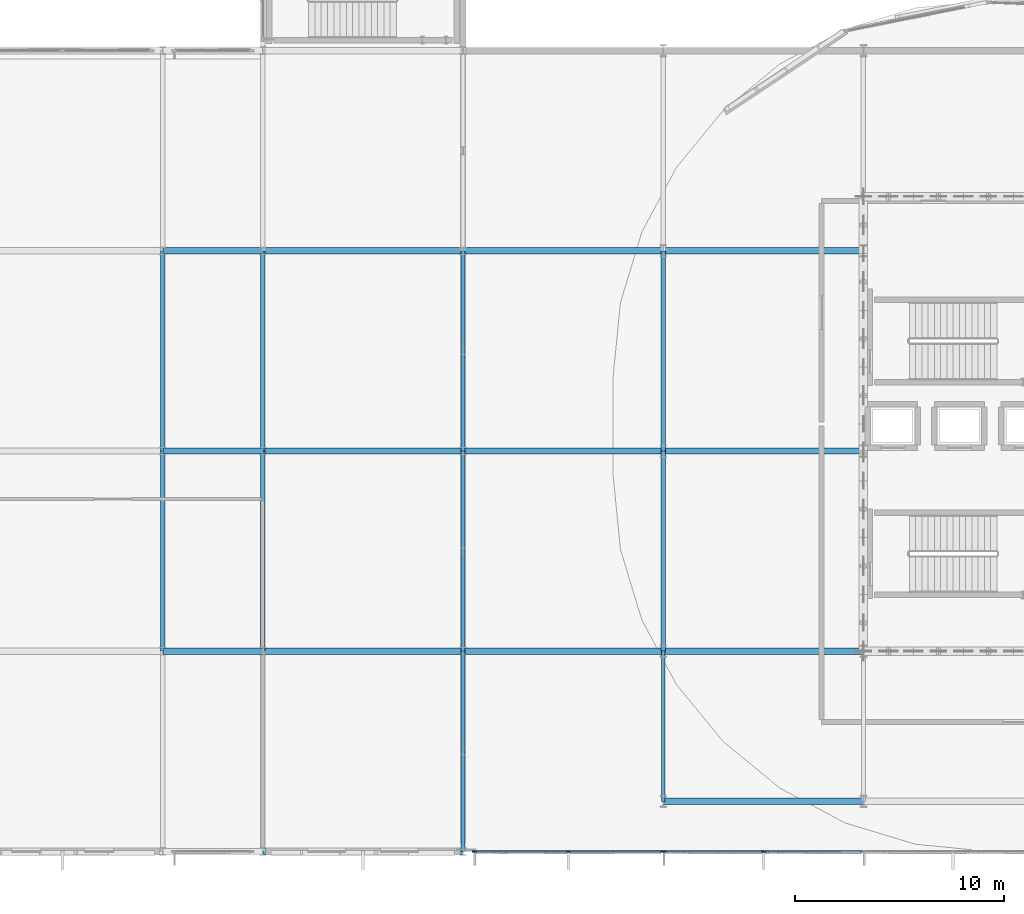
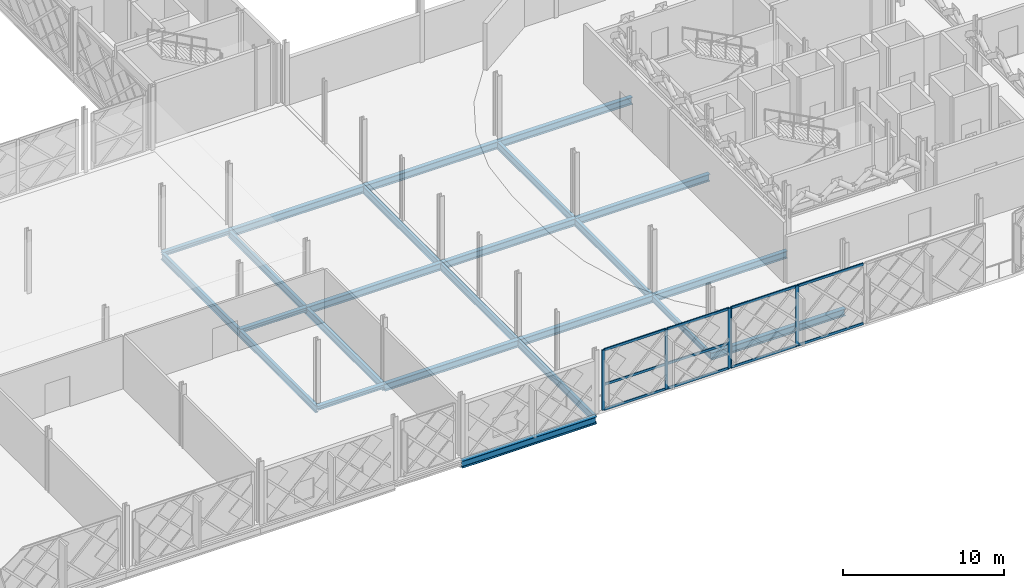
# One storey, part 24 of 77: 24 beams, 15 members, 2 elements without a shape of their own.
"""IFC4 building model written with IfcOpenShell, lengths in metres."""

from ifc_helpers import new_model, si_unit, direction, frame, origin, origin_2d, place, context, subcontext, project, spatial, rectangle, i_section, extrude, material, layer, layer_set, material_profile, profile_set, type_object, element, aggregate, save


model = new_model("IFC4")

# Units and contexts
model_context = context("Model", 3, precision=1e-05, world=origin(), true_north=direction((0.0, 1.0)))
body_context = subcontext(model_context, "Body", "Model", "MODEL_VIEW")
ifc_project = project(units=[si_unit("LENGTHUNIT", "METRE"), si_unit("AREAUNIT", "SQUARE_METRE"), si_unit("VOLUMEUNIT", "CUBIC_METRE"), si_unit("PLANEANGLEUNIT", "RADIAN"), si_unit("MASSUNIT", "GRAM", prefix="KILO")], contexts=[model_context])

# Site, building, storey
site_placement = place(None, origin())
site = spatial("IfcSite", under=ifc_project, at=site_placement, CompositionType="ELEMENT")
building_placement = place(site_placement, origin())
building = spatial("IfcBuilding", under=site, at=building_placement, Name="Zevrakil Square Congress Hotel", CompositionType="ELEMENT")
storey_placement = place(building_placement, frame((0.0, 0.0, 9.89990234375)))
storey = spatial("IfcBuildingStorey", under=building, at=storey_placement, Name="L03", CompositionType="ELEMENT", Elevation=9.89990234375)

# Beams
ifc_material_1 = material(Name="Steel S355", Category="steel")
ifc_material_profile_1 = material_profile(ifc_material_1, i_section(OverallWidth=0.300048828125, OverallDepth=0.31005859375, WebThickness=0.009033203125, FlangeThickness=0.015380859375, FilletRadius=0.027099609375, at=origin_2d()), Name="HEA 320")
ifc_profile_set_1 = profile_set([ifc_material_profile_1], Name="Steel S355")
beam_type_1 = type_object("IfcBeamType", Name="BM-HEA320", PredefinedType="BEAM", material=ifc_profile_set_1)
for number, where, z_axis, x_axis, name in (
    (1, (103.199951171875, 16.800048828125, -0.414794921875), (1.0, 0.0, 0.0), (0.0, 1.0, 0.0), "L03 primary girder BX-0989"),
    (2, (103.199951171875, 26.39990234375, -0.414794921875), (1.0, 0.0, 0.0), (0.0, 1.0, 0.0), "L03 primary girder BX-1002"),
    (3, (103.199951171875, 36.0, -0.414794921875), (1.0, 0.0, 0.0), (0.0, 1.0, 0.0), "L03 primary girder BX-1013"),
):
    element("IfcBeam", number, at=place(storey_placement, frame(where, z_axis=z_axis, x_axis=x_axis)), inside=storey, type_object=beam_type_1, Name=name, PredefinedType="BEAM", context=body_context, shape_type="SweptSolid", body=[
        extrude(i_section(OverallWidth=0.300048828125, OverallDepth=0.31005859375, WebThickness=0.009033203125, FlangeThickness=0.015380859375, FilletRadius=0.027099609375, at=origin_2d()), origin(), (0.0, 0.0, 1.0), 4.800048828125),
    ])
ifc_material_2 = material(Name="Steel S355", Category="steel")
ifc_material_profile_2 = material_profile(ifc_material_2, i_section(OverallWidth=0.300048828125, OverallDepth=0.5400390625, WebThickness=0.012451171875, FlangeThickness=0.02392578125, FilletRadius=0.027099609375, at=origin_2d()), Name="HEA 550")
ifc_profile_set_2 = profile_set([ifc_material_profile_2], Name="Steel S355")
beam_type_2 = type_object("IfcBeamType", Name="BM-HEA550", PredefinedType="BEAM", material=ifc_profile_set_2)
for number, where, z_axis, x_axis, name in (
    (4, (108.0, 7.199951171875, -0.52978515625), (1.0, 0.0, 0.0), (0.0, 1.0, 0.0), "L03 primary girder BX-0979"),
    (5, (127.199951171875, 9.60009765625, -0.52978515625), (1.0, 0.0, 0.0), (0.0, 1.0, 0.0), "L03 primary girder BX-0980"),
    (6, (108.0, 16.800048828125, -0.52978515625), (1.0, 0.0, 0.0), (0.0, 1.0, 0.0), "L03 primary girder BX-0990"),
):
    element("IfcBeam", number, at=place(storey_placement, frame(where, z_axis=z_axis, x_axis=x_axis)), inside=storey, type_object=beam_type_2, Name=name, PredefinedType="BEAM", context=body_context, shape_type="SweptSolid", body=[
        extrude(i_section(OverallWidth=0.300048828125, OverallDepth=0.5400390625, WebThickness=0.012451171875, FlangeThickness=0.02392578125, FilletRadius=0.027099609375, at=origin_2d()), origin(), (0.0, 0.0, 1.0), 9.60009765625),
    ])
beam_1_placement = place(storey_placement, frame((117.60009765625, 16.800048828125, -0.52978515625), z_axis=(1.0, 0.0, 0.0), x_axis=(0.0, 1.0, 0.0)))
element("IfcBeam", 7, at=beam_1_placement, inside=storey, type_object=beam_type_2, Name="L03 primary girder BX-0991", PredefinedType="BEAM", context=body_context, shape_type="SweptSolid", body=[
    extrude(i_section(OverallWidth=0.300048828125, OverallDepth=0.5400390625, WebThickness=0.012451171875, FlangeThickness=0.02392578125, FilletRadius=0.027099609375, at=origin_2d()), origin(), (0.0, 0.0, 1.0), 9.599853515625),
])
for number, where, z_axis, x_axis, name in (
    (8, (127.199951171875, 16.800048828125, -0.52978515625), (1.0, 0.0, 0.0), (0.0, 1.0, 0.0), "L03 primary girder BX-0992"),
    (9, (108.0, 26.39990234375, -0.52978515625), (1.0, 0.0, 0.0), (0.0, 1.0, 0.0), "L03 primary girder BX-1003"),
):
    element("IfcBeam", number, at=place(storey_placement, frame(where, z_axis=z_axis, x_axis=x_axis)), inside=storey, type_object=beam_type_2, Name=name, PredefinedType="BEAM", context=body_context, shape_type="SweptSolid", body=[
        extrude(i_section(OverallWidth=0.300048828125, OverallDepth=0.5400390625, WebThickness=0.012451171875, FlangeThickness=0.02392578125, FilletRadius=0.027099609375, at=origin_2d()), origin(), (0.0, 0.0, 1.0), 9.60009765625),
    ])
beam_2_placement = place(storey_placement, frame((117.60009765625, 26.39990234375, -0.52978515625), z_axis=(1.0, 0.0, 0.0), x_axis=(0.0, 1.0, 0.0)))
element("IfcBeam", 10, at=beam_2_placement, inside=storey, type_object=beam_type_2, Name="L03 primary girder BX-1004", PredefinedType="BEAM", context=body_context, shape_type="SweptSolid", body=[
    extrude(i_section(OverallWidth=0.300048828125, OverallDepth=0.5400390625, WebThickness=0.012451171875, FlangeThickness=0.02392578125, FilletRadius=0.027099609375, at=origin_2d()), origin(), (0.0, 0.0, 1.0), 9.599853515625),
])
for number, where, z_axis, x_axis, name in (
    (11, (127.199951171875, 26.39990234375, -0.52978515625), (1.0, 0.0, 0.0), (0.0, 1.0, 0.0), "L03 primary girder BX-1005"),
    (12, (108.0, 36.0, -0.52978515625), (1.0, 0.0, 0.0), (0.0, 1.0, 0.0), "L03 primary girder BX-1014"),
):
    element("IfcBeam", number, at=place(storey_placement, frame(where, z_axis=z_axis, x_axis=x_axis)), inside=storey, type_object=beam_type_2, Name=name, PredefinedType="BEAM", context=body_context, shape_type="SweptSolid", body=[
        extrude(i_section(OverallWidth=0.300048828125, OverallDepth=0.5400390625, WebThickness=0.012451171875, FlangeThickness=0.02392578125, FilletRadius=0.027099609375, at=origin_2d()), origin(), (0.0, 0.0, 1.0), 9.60009765625),
    ])
beam_3_placement = place(storey_placement, frame((117.60009765625, 36.0, -0.52978515625), z_axis=(1.0, 0.0, 0.0), x_axis=(0.0, 1.0, 0.0)))
element("IfcBeam", 13, at=beam_3_placement, inside=storey, type_object=beam_type_2, Name="L03 primary girder BX-1015", PredefinedType="BEAM", context=body_context, shape_type="SweptSolid", body=[
    extrude(i_section(OverallWidth=0.300048828125, OverallDepth=0.5400390625, WebThickness=0.012451171875, FlangeThickness=0.02392578125, FilletRadius=0.027099609375, at=origin_2d()), origin(), (0.0, 0.0, 1.0), 9.599853515625),
])
beam_4_placement = place(storey_placement, frame((127.199951171875, 36.0, -0.52978515625), z_axis=(1.0, 0.0, 0.0), x_axis=(0.0, 1.0, 0.0)))
element("IfcBeam", 14, at=beam_4_placement, inside=storey, type_object=beam_type_2, Name="L03 primary girder BX-1016", PredefinedType="BEAM", context=body_context, shape_type="SweptSolid", body=[
    extrude(i_section(OverallWidth=0.300048828125, OverallDepth=0.5400390625, WebThickness=0.012451171875, FlangeThickness=0.02392578125, FilletRadius=0.027099609375, at=origin_2d()), origin(), (0.0, 0.0, 1.0), 9.60009765625),
])
ifc_material_3 = material(Name="Steel S355", Category="steel")
ifc_material_profile_3 = material_profile(ifc_material_3, i_section(OverallWidth=0.18994140625, OverallDepth=0.449951171875, WebThickness=0.009521484375, FlangeThickness=0.0146484375, FilletRadius=0.02099609375, at=origin_2d()), Name="IPE 450")
ifc_profile_set_3 = profile_set([ifc_material_profile_3], Name="Steel S355")
beam_type_3 = type_object("IfcBeamType", Name="BM-IPE450", PredefinedType="BEAM", material=ifc_profile_set_3)
beam_5_placement = place(storey_placement, frame((127.199951171875, 9.60009765625, -0.48486328125), z_axis=(0.0, 1.0, 0.0), x_axis=(-1.0, 0.0, 0.0)))
element("IfcBeam", 15, at=beam_5_placement, inside=storey, type_object=beam_type_3, Name="L03 primary girder BY-1172", PredefinedType="BEAM", context=body_context, shape_type="SweptSolid", body=[
    extrude(i_section(OverallWidth=0.18994140625, OverallDepth=0.449951171875, WebThickness=0.009521484375, FlangeThickness=0.0146484375, FilletRadius=0.02099609375, at=origin_2d()), origin(), (0.0, 0.0, 1.0), 7.199951171875),
])
ifc_material_4 = material(Name="Steel S355", Category="steel")
ifc_material_profile_4 = material_profile(ifc_material_4, i_section(OverallWidth=0.2099609375, OverallDepth=0.550048828125, WebThickness=0.010986328125, FlangeThickness=0.01708984375, FilletRadius=0.02392578125, at=origin_2d()), Name="IPE 550")
ifc_profile_set_4 = profile_set([ifc_material_profile_4], Name="Steel S355")
beam_type_4 = type_object("IfcBeamType", Name="BM-IPE550", PredefinedType="BEAM", material=ifc_profile_set_4)
beam_6_placement = place(storey_placement, frame((103.199951171875, 16.800048828125, -0.534912109375), z_axis=(0.0, 1.0, 0.0), x_axis=(-1.0, 0.0, 0.0)))
element("IfcBeam", 16, at=beam_6_placement, inside=storey, type_object=beam_type_4, Name="L03 primary girder BY-1144", PredefinedType="BEAM", context=body_context, shape_type="SweptSolid", body=[
    extrude(i_section(OverallWidth=0.2099609375, OverallDepth=0.550048828125, WebThickness=0.010986328125, FlangeThickness=0.01708984375, FilletRadius=0.02392578125, at=origin_2d()), origin(), (0.0, 0.0, 1.0), 9.599853515625),
])
beam_7_placement = place(storey_placement, frame((103.199951171875, 26.39990234375, -0.534912109375), z_axis=(0.0, 1.0, 0.0), x_axis=(-1.0, 0.0, 0.0)))
element("IfcBeam", 17, at=beam_7_placement, inside=storey, type_object=beam_type_4, Name="L03 primary girder BY-1145", PredefinedType="BEAM", context=body_context, shape_type="SweptSolid", body=[
    extrude(i_section(OverallWidth=0.2099609375, OverallDepth=0.550048828125, WebThickness=0.010986328125, FlangeThickness=0.01708984375, FilletRadius=0.02392578125, at=origin_2d()), origin(), (0.0, 0.0, 1.0), 9.60009765625),
])
beam_8_placement = place(storey_placement, frame((108.0, 16.800048828125, -0.534912109375), z_axis=(0.0, 1.0, 0.0), x_axis=(-1.0, 0.0, 0.0)))
element("IfcBeam", 18, at=beam_8_placement, inside=storey, type_object=beam_type_4, Name="L03 primary girder BY-1151", PredefinedType="BEAM", context=body_context, shape_type="SweptSolid", body=[
    extrude(i_section(OverallWidth=0.2099609375, OverallDepth=0.550048828125, WebThickness=0.010986328125, FlangeThickness=0.01708984375, FilletRadius=0.02392578125, at=origin_2d()), origin(), (0.0, 0.0, 1.0), 9.599853515625),
])
for number, where, z_axis, x_axis, name in (
    (19, (108.0, 26.39990234375, -0.534912109375), (0.0, 1.0, 0.0), (-1.0, 0.0, 0.0), "L03 primary girder BY-1152"),
    (20, (117.60009765625, 7.199951171875, -0.534912109375), (0.0, 1.0, 0.0), (-1.0, 0.0, 0.0), "L03 primary girder BY-1161"),
):
    element("IfcBeam", number, at=place(storey_placement, frame(where, z_axis=z_axis, x_axis=x_axis)), inside=storey, type_object=beam_type_4, Name=name, PredefinedType="BEAM", context=body_context, shape_type="SweptSolid", body=[
        extrude(i_section(OverallWidth=0.2099609375, OverallDepth=0.550048828125, WebThickness=0.010986328125, FlangeThickness=0.01708984375, FilletRadius=0.02392578125, at=origin_2d()), origin(), (0.0, 0.0, 1.0), 9.60009765625),
    ])
beam_9_placement = place(storey_placement, frame((117.60009765625, 16.800048828125, -0.534912109375), z_axis=(0.0, 1.0, 0.0), x_axis=(-1.0, 0.0, 0.0)))
element("IfcBeam", 21, at=beam_9_placement, inside=storey, type_object=beam_type_4, Name="L03 primary girder BY-1162", PredefinedType="BEAM", context=body_context, shape_type="SweptSolid", body=[
    extrude(i_section(OverallWidth=0.2099609375, OverallDepth=0.550048828125, WebThickness=0.010986328125, FlangeThickness=0.01708984375, FilletRadius=0.02392578125, at=origin_2d()), origin(), (0.0, 0.0, 1.0), 9.599853515625),
])
beam_10_placement = place(storey_placement, frame((117.60009765625, 26.39990234375, -0.534912109375), z_axis=(0.0, 1.0, 0.0), x_axis=(-1.0, 0.0, 0.0)))
element("IfcBeam", 22, at=beam_10_placement, inside=storey, type_object=beam_type_4, Name="L03 primary girder BY-1163", PredefinedType="BEAM", context=body_context, shape_type="SweptSolid", body=[
    extrude(i_section(OverallWidth=0.2099609375, OverallDepth=0.550048828125, WebThickness=0.010986328125, FlangeThickness=0.01708984375, FilletRadius=0.02392578125, at=origin_2d()), origin(), (0.0, 0.0, 1.0), 9.60009765625),
])
beam_11_placement = place(storey_placement, frame((127.199951171875, 16.800048828125, -0.534912109375), z_axis=(0.0, 1.0, 0.0), x_axis=(-1.0, 0.0, 0.0)))
element("IfcBeam", 23, at=beam_11_placement, inside=storey, type_object=beam_type_4, Name="L03 primary girder BY-1173", PredefinedType="BEAM", context=body_context, shape_type="SweptSolid", body=[
    extrude(i_section(OverallWidth=0.2099609375, OverallDepth=0.550048828125, WebThickness=0.010986328125, FlangeThickness=0.01708984375, FilletRadius=0.02392578125, at=origin_2d()), origin(), (0.0, 0.0, 1.0), 9.599853515625),
])
beam_12_placement = place(storey_placement, frame((127.199951171875, 26.39990234375, -0.534912109375), z_axis=(0.0, 1.0, 0.0), x_axis=(-1.0, 0.0, 0.0)))
element("IfcBeam", 24, at=beam_12_placement, inside=storey, type_object=beam_type_4, Name="L03 primary girder BY-1174", PredefinedType="BEAM", context=body_context, shape_type="SweptSolid", body=[
    extrude(i_section(OverallWidth=0.2099609375, OverallDepth=0.550048828125, WebThickness=0.010986328125, FlangeThickness=0.01708984375, FilletRadius=0.02392578125, at=origin_2d()), origin(), (0.0, 0.0, 1.0), 9.60009765625),
])

# Curtain wall, members
ifc_material_5 = material(Name="Aluminium Anodised Bronze", Category="aluminium")
ifc_layer = layer(ifc_material_5, 0.179931640625)
ifc_layer_set = layer_set([ifc_layer], Name="Aluminium Anodised Bronze")
curtain_wall_type = type_object("IfcCurtainWallType", Name="CW-L03-900", PredefinedType="USERDEFINED", material=ifc_layer_set)
curtain_wall_1_placement = place(storey_placement, origin())
curtain_wall_1 = element("IfcCurtainWall", 25, at=curtain_wall_1_placement, inside=storey, type_object=curtain_wall_type, Name="L03 diamond curtain wall CW-L03-0014", ObjectType="GLAZED CURTAIN WALL", PredefinedType="USERDEFINED")
ifc_material_6 = material(Name="Aluminium Anodised Bronze", Category="aluminium")
ifc_material_profile_5 = material_profile(ifc_material_6, rectangle(XDim=0.0849609375, YDim=0.179931640625, at=origin_2d()), Name="ALU 85x180")
ifc_profile_set_5 = profile_set([ifc_material_profile_5], Name="Aluminium Anodised Bronze")
member_type_1 = type_object("IfcMemberType", Name="CWM-ALU85x180", PredefinedType="USERDEFINED", material=ifc_profile_set_5)
member_1_placement = place(storey_placement, frame((118.179931640625, 7.199951171875, 0.030029296875), z_axis=(1.0, 0.0, 0.0), x_axis=(0.0, 1.0, 0.0)))
member_1 = element("IfcMember", 26, at=member_1_placement, type_object=member_type_1, Name="CW-36 transom 1.1", ObjectType="TRANSOM", PredefinedType="USERDEFINED", context=body_context, shape_type="SweptSolid", body=[
    extrude(rectangle(XDim=0.0849609375, YDim=0.179931640625, at=origin_2d()), origin(), (0.0, 0.0, 1.0), 4.448486328125),
])
member_2_placement = place(storey_placement, frame((118.179931640625, 7.199951171875, 1.906982421875), z_axis=(1.0, 0.0, 0.0), x_axis=(0.0, 1.0, 0.0)))
member_2 = element("IfcMember", 27, at=member_2_placement, type_object=member_type_1, Name="CW-36 transom 1.2", ObjectType="TRANSOM", PredefinedType="USERDEFINED", context=body_context, shape_type="SweptSolid", body=[
    extrude(rectangle(XDim=0.0849609375, YDim=0.179931640625, at=origin_2d()), origin(), (0.0, 0.0, 1.0), 4.448486328125),
])
member_3_placement = place(storey_placement, frame((118.179931640625, 7.199951171875, 4.510009765625), z_axis=(1.0, 0.0, 0.0), x_axis=(0.0, 1.0, 0.0)))
member_3 = element("IfcMember", 28, at=member_3_placement, type_object=member_type_1, Name="CW-36 transom 1.3", ObjectType="TRANSOM", PredefinedType="USERDEFINED", context=body_context, shape_type="SweptSolid", body=[
    extrude(rectangle(XDim=0.0849609375, YDim=0.179931640625, at=origin_2d()), origin(), (0.0, 0.0, 1.0), 4.448486328125),
])
member_4_placement = place(storey_placement, frame((122.6884765625, 7.199951171875, 0.030029296875), z_axis=(1.0, 0.0, 0.0), x_axis=(0.0, 1.0, 0.0)))
member_4 = element("IfcMember", 29, at=member_4_placement, type_object=member_type_1, Name="CW-36 transom 2.1", ObjectType="TRANSOM", PredefinedType="USERDEFINED", context=body_context, shape_type="SweptSolid", body=[
    extrude(rectangle(XDim=0.0849609375, YDim=0.179931640625, at=origin_2d()), origin(), (0.0, 0.0, 1.0), 4.448486328125),
])
member_5_placement = place(storey_placement, frame((122.6884765625, 7.199951171875, 1.906982421875), z_axis=(1.0, 0.0, 0.0), x_axis=(0.0, 1.0, 0.0)))
member_5 = element("IfcMember", 30, at=member_5_placement, type_object=member_type_1, Name="CW-36 transom 2.2", ObjectType="TRANSOM", PredefinedType="USERDEFINED", context=body_context, shape_type="SweptSolid", body=[
    extrude(rectangle(XDim=0.0849609375, YDim=0.179931640625, at=origin_2d()), origin(), (0.0, 0.0, 1.0), 4.448486328125),
])
member_6_placement = place(storey_placement, frame((122.6884765625, 7.199951171875, 4.510009765625), z_axis=(1.0, 0.0, 0.0), x_axis=(0.0, 1.0, 0.0)))
member_6 = element("IfcMember", 31, at=member_6_placement, type_object=member_type_1, Name="CW-36 transom 2.3", ObjectType="TRANSOM", PredefinedType="USERDEFINED", context=body_context, shape_type="SweptSolid", body=[
    extrude(rectangle(XDim=0.0849609375, YDim=0.179931640625, at=origin_2d()), origin(), (0.0, 0.0, 1.0), 4.448486328125),
])

curtain_wall_2_placement = place(storey_placement, origin())
curtain_wall_2 = element("IfcCurtainWall", 32, at=curtain_wall_2_placement, inside=storey, type_object=curtain_wall_type, Name="L03 diamond curtain wall CW-L03-0015", ObjectType="GLAZED CURTAIN WALL", PredefinedType="USERDEFINED")
member_7_placement = place(storey_placement, frame((127.262939453125, 7.199951171875, 0.030029296875), z_axis=(1.0, 0.0, 0.0), x_axis=(0.0, 1.0, 0.0)))
member_7 = element("IfcMember", 33, at=member_7_placement, type_object=member_type_1, Name="CW-36 transom 1.1", ObjectType="TRANSOM", PredefinedType="USERDEFINED", context=body_context, shape_type="SweptSolid", body=[
    extrude(rectangle(XDim=0.0849609375, YDim=0.179931640625, at=origin_2d()), origin(), (0.0, 0.0, 1.0), 4.70703125),
])
member_8_placement = place(storey_placement, frame((127.262939453125, 7.199951171875, 4.510009765625), z_axis=(1.0, 0.0, 0.0), x_axis=(0.0, 1.0, 0.0)))
member_8 = element("IfcMember", 34, at=member_8_placement, type_object=member_type_1, Name="CW-36 transom 1.2", ObjectType="TRANSOM", PredefinedType="USERDEFINED", context=body_context, shape_type="SweptSolid", body=[
    extrude(rectangle(XDim=0.0849609375, YDim=0.179931640625, at=origin_2d()), origin(), (0.0, 0.0, 1.0), 4.70703125),
])
member_9_placement = place(storey_placement, frame((132.030029296875, 7.199951171875, 0.030029296875), z_axis=(1.0, 0.0, 0.0), x_axis=(0.0, 1.0, 0.0)))
member_9 = element("IfcMember", 35, at=member_9_placement, type_object=member_type_1, Name="CW-36 transom 2.1", ObjectType="TRANSOM", PredefinedType="USERDEFINED", context=body_context, shape_type="SweptSolid", body=[
    extrude(rectangle(XDim=0.0849609375, YDim=0.179931640625, at=origin_2d()), origin(), (0.0, 0.0, 1.0), 4.70703125),
])
member_10_placement = place(storey_placement, frame((132.030029296875, 7.199951171875, 4.510009765625), z_axis=(1.0, 0.0, 0.0), x_axis=(0.0, 1.0, 0.0)))
member_10 = element("IfcMember", 36, at=member_10_placement, type_object=member_type_1, Name="CW-36 transom 2.2", ObjectType="TRANSOM", PredefinedType="USERDEFINED", context=body_context, shape_type="SweptSolid", body=[
    extrude(rectangle(XDim=0.0849609375, YDim=0.179931640625, at=origin_2d()), origin(), (0.0, 0.0, 1.0), 4.70703125),
])

# Member
ifc_material_7 = material(Name="Aluminium Anodised Bronze", Category="aluminium")
ifc_material_profile_6 = material_profile(ifc_material_7, rectangle(XDim=0.0849609375, YDim=0.219970703125, at=origin_2d()), Name="ALU 85x220")
ifc_profile_set_6 = profile_set([ifc_material_profile_6], Name="Aluminium Anodised Bronze")
member_type_2 = type_object("IfcMemberType", Name="CWM-ALU85x220", PredefinedType="MULLION", material=ifc_profile_set_6)
member_11_placement = place(storey_placement, frame((118.14990234375, 7.199951171875, 0.0), z_axis=(0.0, 0.0, 1.0), x_axis=(0.0, 1.0, 0.0)))
member_11 = element("IfcMember", 37, at=member_11_placement, type_object=member_type_2, Name="CW-36 mullion 1", PredefinedType="MULLION", context=body_context, shape_type="SweptSolid", body=[
    extrude(rectangle(XDim=0.0849609375, YDim=0.219970703125, at=origin_2d()), origin(), (0.0, 0.0, 1.0), 4.5400390625),
])

member_12_placement = place(storey_placement, frame((122.658447265625, 7.199951171875, 0.0), z_axis=(0.0, 0.0, 1.0), x_axis=(0.0, 1.0, 0.0)))
member_12 = element("IfcMember", 38, at=member_12_placement, type_object=member_type_2, Name="CW-36 mullion 2", PredefinedType="MULLION", context=body_context, shape_type="SweptSolid", body=[
    extrude(rectangle(XDim=0.0849609375, YDim=0.219970703125, at=origin_2d()), origin(), (0.0, 0.0, 1.0), 4.5400390625),
])

member_13_placement = place(storey_placement, frame((127.1669921875, 7.199951171875, 0.0), z_axis=(0.0, 0.0, 1.0), x_axis=(0.0, 1.0, 0.0)))
member_13 = element("IfcMember", 39, at=member_13_placement, type_object=member_type_2, Name="CW-36 mullion 3", PredefinedType="MULLION", context=body_context, shape_type="SweptSolid", body=[
    extrude(rectangle(XDim=0.0849609375, YDim=0.219970703125, at=origin_2d()), origin(), (0.0, 0.0, 1.0), 4.5400390625),
])

aggregate(curtain_wall_1, [member_11, member_12, member_13, member_1, member_2, member_3, member_4, member_5, member_6])

member_14_placement = place(storey_placement, frame((127.23291015625, 7.199951171875, 0.0), z_axis=(0.0, 0.0, 1.0), x_axis=(0.0, 1.0, 0.0)))
member_14 = element("IfcMember", 40, at=member_14_placement, type_object=member_type_2, Name="CW-36 mullion 1", PredefinedType="MULLION", context=body_context, shape_type="SweptSolid", body=[
    extrude(rectangle(XDim=0.0849609375, YDim=0.219970703125, at=origin_2d()), origin(), (0.0, 0.0, 1.0), 4.5400390625),
])

member_15_placement = place(storey_placement, frame((132.0, 7.199951171875, 0.0), z_axis=(0.0, 0.0, 1.0), x_axis=(0.0, 1.0, 0.0)))
member_15 = element("IfcMember", 41, at=member_15_placement, type_object=member_type_2, Name="CW-36 mullion 2", PredefinedType="MULLION", context=body_context, shape_type="SweptSolid", body=[
    extrude(rectangle(XDim=0.0849609375, YDim=0.219970703125, at=origin_2d()), origin(), (0.0, 0.0, 1.0), 4.5400390625),
])

aggregate(curtain_wall_2, [member_14, member_15, member_7, member_8, member_9, member_10])

save(model, "model.ifc")
